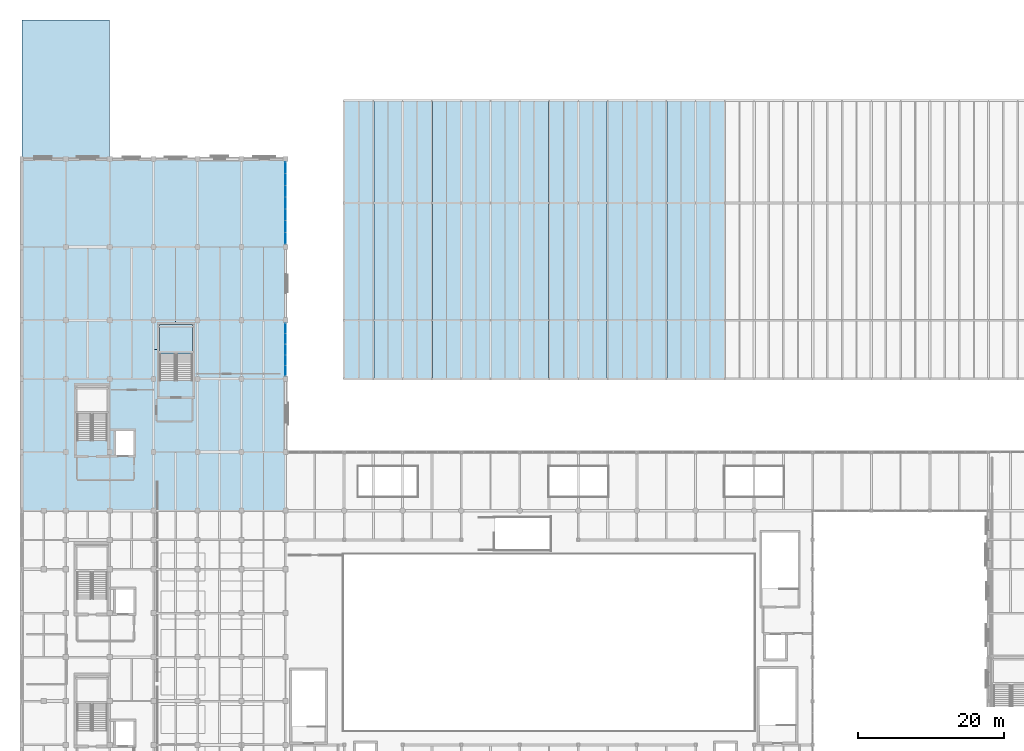
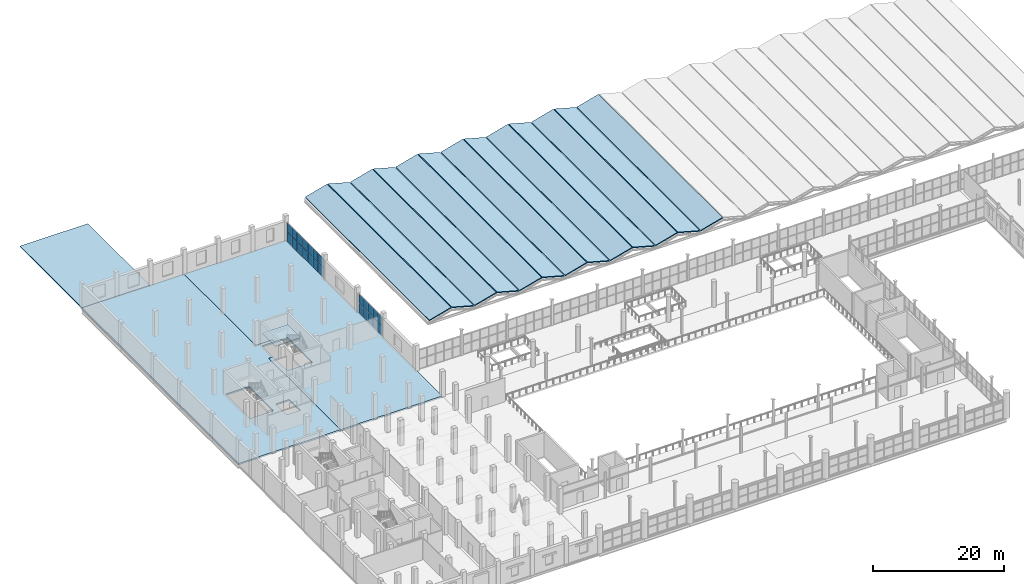
# One storey, part 87 of 114: 24 plates, 17 slabs, 3 elements without a shape of their own.
"""IFC4 building model written with IfcOpenShell, lengths in metres."""

from ifc_helpers import new_model, si_unit, direction, frame, origin, origin_2d, place, context, subcontext, project, spatial, polyline, rectangle, outline, extrude, material, layer, layer_set, type_object, element, aggregate, save


model = new_model("IFC4")

# Units and contexts
model_context = context("Model", 3, precision=1e-05, world=origin(), true_north=direction((0.0, 1.0)))
body_context = subcontext(model_context, "Body", "Model", "MODEL_VIEW")
ifc_project = project(units=[si_unit("LENGTHUNIT", "METRE"), si_unit("AREAUNIT", "SQUARE_METRE"), si_unit("VOLUMEUNIT", "CUBIC_METRE"), si_unit("PLANEANGLEUNIT", "RADIAN"), si_unit("MASSUNIT", "GRAM", prefix="KILO")], contexts=[model_context])

# Site, building, storey
site_placement = place(None, origin())
site = spatial("IfcSite", under=ifc_project, at=site_placement, CompositionType="ELEMENT")
building_placement = place(site_placement, origin())
building = spatial("IfcBuilding", under=site, at=building_placement, Name="Verrall Gate Interchange", CompositionType="ELEMENT")
storey_placement = place(building_placement, frame((0.0, 0.0, 6.60009765625)))
storey = spatial("IfcBuildingStorey", under=building, at=storey_placement, Name="L02", CompositionType="ELEMENT", Elevation=6.60009765625)

# Curtain wall, plates
ifc_material_1 = material(Name="Thermally Broken Anodized Aluminium Curtain Wall Framing", Category="aluminium")
curtain_wall_type_1 = type_object("IfcCurtainWallType", Name="CW-26 Unitized Curtain Wall 7186x3680", PredefinedType="NOTDEFINED", material=ifc_material_1)
curtain_wall_1_placement = place(storey_placement, origin())
curtain_wall_1 = element("IfcCurtainWall", 1, at=curtain_wall_1_placement, inside=storey, type_object=curtain_wall_type_1, Name="L02 Unitized Curtain Wall CW-L02-101", PredefinedType="NOTDEFINED")
ifc_material_2 = material(Name="Triple-Glazed Low-E Argon Insulated Curtain Panel (U=1.45)", Category="glass")
ifc_layer_1 = layer(ifc_material_2, 0.030029296875)
ifc_layer_set_1 = layer_set([ifc_layer_1], Name="Triple-Glazed Low-E Argon Insulated Curtain Panel (U=1.45)")
plate_type_1 = type_object("IfcPlateType", Name="CP-01 Curtain Glazing Panel 30", PredefinedType="CURTAIN_PANEL", material=ifc_layer_set_1)
plate_1_placement = place(storey_placement, frame((36.0, 67.12451171875, 0.062744140625), z_axis=(0.0, 0.0, 1.0), x_axis=(0.0, 1.0, 0.0)))
plate_1 = element("IfcPlate", 2, at=plate_1_placement, type_object=plate_type_1, Name="CW-L02-101 Glazing Panel 1.1", PredefinedType="CURTAIN_PANEL", context=body_context, shape_type="SweptSolid", body=[
    extrude(rectangle(XDim=1.358642578125, YDim=0.030029296875, at=origin_2d()), origin(), (0.0, 0.0, 1.0), 1.8251953125),
])
plate_2_placement = place(storey_placement, frame((36.0, 67.12451171875, 1.93896484375), z_axis=(0.0, 0.0, 1.0), x_axis=(0.0, 1.0, 0.0)))
plate_2 = element("IfcPlate", 3, at=plate_2_placement, type_object=plate_type_1, Name="CW-L02-101 Glazing Panel 1.2", PredefinedType="CURTAIN_PANEL", context=body_context, shape_type="SweptSolid", body=[
    extrude(rectangle(XDim=1.358642578125, YDim=0.030029296875, at=origin_2d()), origin(), (0.0, 0.0, 1.0), 1.677978515625),
])
plate_3_placement = place(storey_placement, frame((36.0, 68.552734375, 0.062744140625), z_axis=(0.0, 0.0, 1.0), x_axis=(0.0, 1.0, 0.0)))
plate_3 = element("IfcPlate", 4, at=plate_3_placement, type_object=plate_type_1, Name="CW-L02-101 Glazing Panel 2.1", PredefinedType="CURTAIN_PANEL", context=body_context, shape_type="SweptSolid", body=[
    extrude(rectangle(XDim=1.396240234375, YDim=0.030029296875, at=origin_2d()), origin(), (0.0, 0.0, 1.0), 1.8251953125),
])
plate_4_placement = place(storey_placement, frame((36.0, 68.552734375, 1.93896484375), z_axis=(0.0, 0.0, 1.0), x_axis=(0.0, 1.0, 0.0)))
plate_4 = element("IfcPlate", 5, at=plate_4_placement, type_object=plate_type_1, Name="CW-L02-101 Glazing Panel 2.2", PredefinedType="CURTAIN_PANEL", context=body_context, shape_type="SweptSolid", body=[
    extrude(rectangle(XDim=1.396240234375, YDim=0.030029296875, at=origin_2d()), origin(), (0.0, 0.0, 1.0), 1.677978515625),
])
plate_5_placement = place(storey_placement, frame((36.0, 70.0, 0.062744140625), z_axis=(0.0, 0.0, 1.0), x_axis=(0.0, 1.0, 0.0)))
plate_5 = element("IfcPlate", 6, at=plate_5_placement, type_object=plate_type_1, Name="CW-L02-101 Glazing Panel 3.1", PredefinedType="CURTAIN_PANEL", context=body_context, shape_type="SweptSolid", body=[
    extrude(rectangle(XDim=1.396240234375, YDim=0.030029296875, at=origin_2d()), origin(), (0.0, 0.0, 1.0), 1.8251953125),
])
plate_6_placement = place(storey_placement, frame((36.0, 70.0, 1.93896484375), z_axis=(0.0, 0.0, 1.0), x_axis=(0.0, 1.0, 0.0)))
plate_6 = element("IfcPlate", 7, at=plate_6_placement, type_object=plate_type_1, Name="CW-L02-101 Glazing Panel 3.2", PredefinedType="CURTAIN_PANEL", context=body_context, shape_type="SweptSolid", body=[
    extrude(rectangle(XDim=1.396240234375, YDim=0.030029296875, at=origin_2d()), origin(), (0.0, 0.0, 1.0), 1.677978515625),
])
plate_7_placement = place(storey_placement, frame((36.0, 71.447265625, 0.062744140625), z_axis=(0.0, 0.0, 1.0), x_axis=(0.0, 1.0, 0.0)))
plate_7 = element("IfcPlate", 8, at=plate_7_placement, type_object=plate_type_1, Name="CW-L02-101 Glazing Panel 4.1", PredefinedType="CURTAIN_PANEL", context=body_context, shape_type="SweptSolid", body=[
    extrude(rectangle(XDim=1.396240234375, YDim=0.030029296875, at=origin_2d()), origin(), (0.0, 0.0, 1.0), 1.8251953125),
])
plate_8_placement = place(storey_placement, frame((36.0, 71.447265625, 1.93896484375), z_axis=(0.0, 0.0, 1.0), x_axis=(0.0, 1.0, 0.0)))
plate_8 = element("IfcPlate", 9, at=plate_8_placement, type_object=plate_type_1, Name="CW-L02-101 Glazing Panel 4.2", PredefinedType="CURTAIN_PANEL", context=body_context, shape_type="SweptSolid", body=[
    extrude(rectangle(XDim=1.396240234375, YDim=0.030029296875, at=origin_2d()), origin(), (0.0, 0.0, 1.0), 1.677978515625),
])
plate_9_placement = place(storey_placement, frame((36.0, 72.875732421875, 0.062744140625), z_axis=(0.0, 0.0, 1.0), x_axis=(0.0, 1.0, 0.0)))
plate_9 = element("IfcPlate", 10, at=plate_9_placement, type_object=plate_type_1, Name="CW-L02-101 Glazing Panel 5.1", PredefinedType="CURTAIN_PANEL", context=body_context, shape_type="SweptSolid", body=[
    extrude(rectangle(XDim=1.358642578125, YDim=0.030029296875, at=origin_2d()), origin(), (0.0, 0.0, 1.0), 1.8251953125),
])
plate_10_placement = place(storey_placement, frame((36.0, 72.875732421875, 1.93896484375), z_axis=(0.0, 0.0, 1.0), x_axis=(0.0, 1.0, 0.0)))
plate_10 = element("IfcPlate", 11, at=plate_10_placement, type_object=plate_type_1, Name="CW-L02-101 Glazing Panel 5.2", PredefinedType="CURTAIN_PANEL", context=body_context, shape_type="SweptSolid", body=[
    extrude(rectangle(XDim=1.358642578125, YDim=0.030029296875, at=origin_2d()), origin(), (0.0, 0.0, 1.0), 1.677978515625),
])
aggregate(curtain_wall_1, [plate_1, plate_2, plate_3, plate_4, plate_5, plate_6, plate_7, plate_8, plate_9, plate_10])

ifc_material_3 = material(Name="Thermally Broken Anodized Aluminium Curtain Wall Framing", Category="aluminium")
curtain_wall_type_2 = type_object("IfcCurtainWallType", Name="CW-29 Unitized Curtain Wall 11236x3680", PredefinedType="NOTDEFINED", material=ifc_material_3)
curtain_wall_2_placement = place(storey_placement, origin())
curtain_wall_2 = element("IfcCurtainWall", 12, at=curtain_wall_2_placement, inside=storey, type_object=curtain_wall_type_2, Name="L02 Unitized Curtain Wall CW-L02-102", PredefinedType="NOTDEFINED")
ifc_material_4 = material(Name="Triple-Glazed Low-E Argon Insulated Curtain Panel (U=1.45)", Category="glass")
ifc_layer_2 = layer(ifc_material_4, 0.0400390625)
ifc_layer_set_2 = layer_set([ifc_layer_2], Name="Triple-Glazed Low-E Argon Insulated Curtain Panel (U=1.45)")
plate_type_2 = type_object("IfcPlateType", Name="CP-02 Curtain Glazing Panel 40", PredefinedType="CURTAIN_PANEL", material=ifc_layer_set_2)
plate_11_placement = place(storey_placement, frame((36.0, 85.20068359375, 0.054443359375), z_axis=(0.0, 0.0, 1.0), x_axis=(0.0, 1.0, 0.0)))
plate_11 = element("IfcPlate", 13, at=plate_11_placement, type_object=plate_type_2, Name="CW-L02-102 Glazing Panel 1.1", PredefinedType="CURTAIN_PANEL", context=body_context, shape_type="SweptSolid", body=[
    extrude(rectangle(XDim=1.5283203125, YDim=0.0400390625, at=origin_2d()), origin(), (0.0, 0.0, 1.0), 1.8369140625),
])
plate_12_placement = place(storey_placement, frame((36.0, 85.20068359375, 1.935546875), z_axis=(0.0, 0.0, 1.0), x_axis=(0.0, 1.0, 0.0)))
plate_12 = element("IfcPlate", 14, at=plate_12_placement, type_object=plate_type_2, Name="CW-L02-102 Glazing Panel 1.2", PredefinedType="CURTAIN_PANEL", context=body_context, shape_type="SweptSolid", body=[
    extrude(rectangle(XDim=1.5283203125, YDim=0.0400390625, at=origin_2d()), origin(), (0.0, 0.0, 1.0), 1.689697265625),
])
plate_13_placement = place(storey_placement, frame((36.0, 86.789794921875, 0.054443359375), z_axis=(0.0, 0.0, 1.0), x_axis=(0.0, 1.0, 0.0)))
plate_13 = element("IfcPlate", 15, at=plate_13_placement, type_object=plate_type_2, Name="CW-L02-102 Glazing Panel 2.1", PredefinedType="CURTAIN_PANEL", context=body_context, shape_type="SweptSolid", body=[
    extrude(rectangle(XDim=1.56103515625, YDim=0.0400390625, at=origin_2d()), origin(), (0.0, 0.0, 1.0), 1.8369140625),
])
plate_14_placement = place(storey_placement, frame((36.0, 86.789794921875, 1.935546875), z_axis=(0.0, 0.0, 1.0), x_axis=(0.0, 1.0, 0.0)))
plate_14 = element("IfcPlate", 16, at=plate_14_placement, type_object=plate_type_2, Name="CW-L02-102 Glazing Panel 2.2", PredefinedType="CURTAIN_PANEL", context=body_context, shape_type="SweptSolid", body=[
    extrude(rectangle(XDim=1.56103515625, YDim=0.0400390625, at=origin_2d()), origin(), (0.0, 0.0, 1.0), 1.689697265625),
])
plate_15_placement = place(storey_placement, frame((36.0, 88.39501953125, 0.054443359375), z_axis=(0.0, 0.0, 1.0), x_axis=(0.0, 1.0, 0.0)))
plate_15 = element("IfcPlate", 17, at=plate_15_placement, type_object=plate_type_2, Name="CW-L02-102 Glazing Panel 3.1", PredefinedType="CURTAIN_PANEL", context=body_context, shape_type="SweptSolid", body=[
    extrude(rectangle(XDim=1.560791015625, YDim=0.0400390625, at=origin_2d()), origin(), (0.0, 0.0, 1.0), 1.8369140625),
])
plate_16_placement = place(storey_placement, frame((36.0, 88.39501953125, 1.935546875), z_axis=(0.0, 0.0, 1.0), x_axis=(0.0, 1.0, 0.0)))
plate_16 = element("IfcPlate", 18, at=plate_16_placement, type_object=plate_type_2, Name="CW-L02-102 Glazing Panel 3.2", PredefinedType="CURTAIN_PANEL", context=body_context, shape_type="SweptSolid", body=[
    extrude(rectangle(XDim=1.560791015625, YDim=0.0400390625, at=origin_2d()), origin(), (0.0, 0.0, 1.0), 1.689697265625),
])
plate_17_placement = place(storey_placement, frame((36.0, 90.0, 0.054443359375), z_axis=(0.0, 0.0, 1.0), x_axis=(0.0, 1.0, 0.0)))
plate_17 = element("IfcPlate", 19, at=plate_17_placement, type_object=plate_type_2, Name="CW-L02-102 Glazing Panel 4.1", PredefinedType="CURTAIN_PANEL", context=body_context, shape_type="SweptSolid", body=[
    extrude(rectangle(XDim=1.56103515625, YDim=0.0400390625, at=origin_2d()), origin(), (0.0, 0.0, 1.0), 1.8369140625),
])
plate_18_placement = place(storey_placement, frame((36.0, 90.0, 1.935546875), z_axis=(0.0, 0.0, 1.0), x_axis=(0.0, 1.0, 0.0)))
plate_18 = element("IfcPlate", 20, at=plate_18_placement, type_object=plate_type_2, Name="CW-L02-102 Glazing Panel 4.2", PredefinedType="CURTAIN_PANEL", context=body_context, shape_type="SweptSolid", body=[
    extrude(rectangle(XDim=1.56103515625, YDim=0.0400390625, at=origin_2d()), origin(), (0.0, 0.0, 1.0), 1.689697265625),
])
plate_19_placement = place(storey_placement, frame((36.0, 91.605224609375, 0.054443359375), z_axis=(0.0, 0.0, 1.0), x_axis=(0.0, 1.0, 0.0)))
plate_19 = element("IfcPlate", 21, at=plate_19_placement, type_object=plate_type_2, Name="CW-L02-102 Glazing Panel 5.1", PredefinedType="CURTAIN_PANEL", context=body_context, shape_type="SweptSolid", body=[
    extrude(rectangle(XDim=1.560791015625, YDim=0.0400390625, at=origin_2d()), origin(), (0.0, 0.0, 1.0), 1.8369140625),
])
plate_20_placement = place(storey_placement, frame((36.0, 91.605224609375, 1.935546875), z_axis=(0.0, 0.0, 1.0), x_axis=(0.0, 1.0, 0.0)))
plate_20 = element("IfcPlate", 22, at=plate_20_placement, type_object=plate_type_2, Name="CW-L02-102 Glazing Panel 5.2", PredefinedType="CURTAIN_PANEL", context=body_context, shape_type="SweptSolid", body=[
    extrude(rectangle(XDim=1.560791015625, YDim=0.0400390625, at=origin_2d()), origin(), (0.0, 0.0, 1.0), 1.689697265625),
])
plate_21_placement = place(storey_placement, frame((36.0, 93.210205078125, 0.054443359375), z_axis=(0.0, 0.0, 1.0), x_axis=(0.0, 1.0, 0.0)))
plate_21 = element("IfcPlate", 23, at=plate_21_placement, type_object=plate_type_2, Name="CW-L02-102 Glazing Panel 6.1", PredefinedType="CURTAIN_PANEL", context=body_context, shape_type="SweptSolid", body=[
    extrude(rectangle(XDim=1.56103515625, YDim=0.0400390625, at=origin_2d()), origin(), (0.0, 0.0, 1.0), 1.8369140625),
])
plate_22_placement = place(storey_placement, frame((36.0, 93.210205078125, 1.935546875), z_axis=(0.0, 0.0, 1.0), x_axis=(0.0, 1.0, 0.0)))
plate_22 = element("IfcPlate", 24, at=plate_22_placement, type_object=plate_type_2, Name="CW-L02-102 Glazing Panel 6.2", PredefinedType="CURTAIN_PANEL", context=body_context, shape_type="SweptSolid", body=[
    extrude(rectangle(XDim=1.56103515625, YDim=0.0400390625, at=origin_2d()), origin(), (0.0, 0.0, 1.0), 1.689697265625),
])
plate_23_placement = place(storey_placement, frame((36.0, 94.79931640625, 0.054443359375), z_axis=(0.0, 0.0, 1.0), x_axis=(0.0, 1.0, 0.0)))
plate_23 = element("IfcPlate", 25, at=plate_23_placement, type_object=plate_type_2, Name="CW-L02-102 Glazing Panel 7.1", PredefinedType="CURTAIN_PANEL", context=body_context, shape_type="SweptSolid", body=[
    extrude(rectangle(XDim=1.5283203125, YDim=0.0400390625, at=origin_2d()), origin(), (0.0, 0.0, 1.0), 1.8369140625),
])
plate_24_placement = place(storey_placement, frame((36.0, 94.79931640625, 1.935546875), z_axis=(0.0, 0.0, 1.0), x_axis=(0.0, 1.0, 0.0)))
plate_24 = element("IfcPlate", 26, at=plate_24_placement, type_object=plate_type_2, Name="CW-L02-102 Glazing Panel 7.2", PredefinedType="CURTAIN_PANEL", context=body_context, shape_type="SweptSolid", body=[
    extrude(rectangle(XDim=1.5283203125, YDim=0.0400390625, at=origin_2d()), origin(), (0.0, 0.0, 1.0), 1.689697265625),
])
aggregate(curtain_wall_2, [plate_11, plate_12, plate_13, plate_14, plate_15, plate_16, plate_17, plate_18, plate_19, plate_20, plate_21, plate_22, plate_23, plate_24])

# Slabs
ifc_material_5 = material(Name="Concrete CSA A23.1 40 MPa (Class N)", Category="concrete")
ifc_layer_3 = layer(ifc_material_5, 0.280029296875)
ifc_layer_set_3 = layer_set([ifc_layer_3], Name="Concrete CSA A23.1 40 MPa (Class N)")
slab_type_1 = type_object("IfcSlabType", Name="FS-08 Floor Slab 280", PredefinedType="FLOOR", material=ifc_layer_set_3)
slab_1_placement = place(storey_placement, frame((0.0, 0.0, -0.280029296875)))
element("IfcSlab", 27, at=slab_1_placement, inside=storey, type_object=slab_type_1, Name="L02 Structural Slab SLB-L02-03", PredefinedType="FLOOR", context=body_context, shape_type="SweptSolid", body=[
    extrude(outline(polyline([(0.0, 96.0), (18.0, 96.0), (18.0, 74.0), (21.0, 74.0), (21.0, 73.39990234375), (18.800048828125, 73.39990234375), (18.800048828125, 70.0), (18.0, 70.0), (18.0, 48.0), (0.0, 48.0), (0.0, 96.0)]), holes=[polyline([(12.85009765625, 58.89990234375), (12.85009765625, 55.60009765625), (15.25, 55.60009765625), (15.25, 58.89990234375), (12.85009765625, 58.89990234375)]), polyline([(11.64990234375, 65.0), (7.550048828125, 65.0), (7.550048828125, 57.550048828125), (11.64990234375, 57.550048828125), (11.64990234375, 65.0)])]), origin(), (0.0, 0.0, 1.0), 0.280029296875),
])
slab_2_placement = place(storey_placement, frame((0.0, 0.0, -0.280029296875)))
element("IfcSlab", 28, at=slab_2_placement, inside=storey, type_object=slab_type_1, Name="L02 Structural Slab SLB-L02-04", PredefinedType="FLOOR", context=body_context, shape_type="SweptSolid", body=[
    extrude(outline(polyline([(36.0, 48.0), (18.0, 48.0), (18.0, 70.0), (18.800048828125, 70.0), (18.800048828125, 65.75), (23.300048828125, 65.75), (23.300048828125, 73.39990234375), (21.0, 73.39990234375), (21.0, 74.0), (18.0, 74.0), (18.0, 96.0), (36.0, 96.0), (36.0, 48.0)])), origin(), (0.0, 0.0, 1.0), 0.280029296875),
])

# Stair, slab
ifc_material_6 = material(Name="Concrete CSA A23.1 40 MPa (Class N)", Category="concrete")
stair_type = type_object("IfcStairType", Name="ST-T08 Straight-Flight Return Exit Stair W2150 H4800", PredefinedType="STRAIGHT_RUN_STAIR", material=ifc_material_6)
stair_placement = place(storey_placement, origin())
stair = element("IfcStair", 29, at=stair_placement, inside=storey, type_object=stair_type, Name="L02 ST-04", PredefinedType="STRAIGHT_RUN_STAIR")
ifc_material_7 = material(Name="Concrete CSA A23.1 40 MPa (Class N)", Category="concrete")
ifc_layer_4 = layer(ifc_material_7, 0.18994140625)
ifc_layer_set_4 = layer_set([ifc_layer_4], Name="Concrete CSA A23.1 40 MPa (Class N)")
slab_type_2 = type_object("IfcSlabType", Name="LS-01 Stair Landing Slab 190", PredefinedType="LANDING", material=ifc_layer_set_4)
slab_3_placement = place(storey_placement, frame((0.0, 0.0, 2.199951171875)))
slab_3 = element("IfcSlab", 30, at=slab_3_placement, type_object=slab_type_2, Name="ST-04 landing 1", PredefinedType="LANDING", context=body_context, shape_type="SweptSolid", body=[
    extrude(outline(polyline([(23.300048828125, 69.389892578125), (23.300048828125, 73.39990234375), (18.800048828125, 73.39990234375), (18.800048828125, 69.389892578125), (23.300048828125, 69.389892578125)])), origin(), (0.0, 0.0, 1.0), 0.199951171875),
])
aggregate(stair, [slab_3])

# Slabs
ifc_material_8 = material(Name="Concrete CSA A23.1 40 MPa (Class C-1)", Category="concrete")
ifc_layer_5 = layer(ifc_material_8, 0.179931640625)
ifc_layer_set_5 = layer_set([ifc_layer_5], Name="Concrete CSA A23.1 40 MPa (Class C-1)")
slab_type_3 = type_object("IfcSlabType", Name="RS-02 Roof Slab 180", PredefinedType="ROOF", material=ifc_layer_set_5)
for number, where, z_axis, x_axis, name in (
    (31, (44.070068359375, 66.0, 0.419189453125), (-0.265170657731, 0.0, 0.964201494647), (0.964201494647, 0.0, 0.265170657731), "Bus Concourse Folded-Plate Roof Facet RF-BP-01"),
    (32, (48.070068359375, 66.0, 1.480712890625), (0.265170657731, 0.0, 0.964201494647), (0.964201494647, 0.0, -0.265170657731), "Bus Concourse Folded-Plate Roof Facet RF-BP-02"),
    (33, (52.070068359375, 66.0, 0.419189453125), (-0.265170657731, 0.0, 0.964201494647), (0.964201494647, 0.0, 0.265170657731), "Bus Concourse Folded-Plate Roof Facet RF-BP-03"),
    (34, (56.070068359375, 66.0, 1.480712890625), (0.265170657731, 0.0, 0.964201494647), (0.964201494647, 0.0, -0.265170657731), "Bus Concourse Folded-Plate Roof Facet RF-BP-04"),
    (35, (60.070068359375, 66.0, 0.419189453125), (-0.265170657731, 0.0, 0.964201494647), (0.964201494647, 0.0, 0.265170657731), "Bus Concourse Folded-Plate Roof Facet RF-BP-05"),
    (36, (64.070068359375, 66.0, 1.480712890625), (0.265170657731, 0.0, 0.964201494647), (0.964201494647, 0.0, -0.265170657731), "Bus Concourse Folded-Plate Roof Facet RF-BP-06"),
    (37, (68.070068359375, 66.0, 0.419189453125), (-0.265170657731, 0.0, 0.964201494647), (0.964201494647, 0.0, 0.265170657731), "Bus Concourse Folded-Plate Roof Facet RF-BP-07"),
    (38, (72.070068359375, 66.0, 1.480712890625), (0.265170657731, 0.0, 0.964201494647), (0.964201494647, 0.0, -0.265170657731), "Bus Concourse Folded-Plate Roof Facet RF-BP-08"),
    (39, (76.070068359375, 66.0, 0.419189453125), (-0.265170657731, 0.0, 0.964201494647), (0.964201494647, 0.0, 0.265170657731), "Bus Concourse Folded-Plate Roof Facet RF-BP-09"),
    (40, (80.070068359375, 66.0, 1.480712890625), (0.265170657731, 0.0, 0.964201494647), (0.964201494647, 0.0, -0.265170657731), "Bus Concourse Folded-Plate Roof Facet RF-BP-10"),
    (41, (84.070068359375, 66.0, 0.419189453125), (-0.265170657731, 0.0, 0.964201494647), (0.964201494647, 0.0, 0.265170657731), "Bus Concourse Folded-Plate Roof Facet RF-BP-11"),
    (42, (88.070068359375, 66.0, 1.480712890625), (0.265170657731, 0.0, 0.964201494647), (0.964201494647, 0.0, -0.265170657731), "Bus Concourse Folded-Plate Roof Facet RF-BP-12"),
    (43, (92.070068359375, 66.0, 0.419189453125), (-0.265170657731, 0.0, 0.964201494647), (0.964201494647, 0.0, 0.265170657731), "Bus Concourse Folded-Plate Roof Facet RF-BP-13"),
):
    element("IfcSlab", number, at=place(storey_placement, frame(where, z_axis=z_axis, x_axis=x_axis)), inside=storey, type_object=slab_type_3, Name=name, PredefinedType="ROOF", context=body_context, shape_type="SweptSolid", body=[
        extrude(outline(polyline([(0.0, 0.0), (4.003170813031069, 0.0), (4.003170813031069, 38.0), (0.0, 38.0), (0.0, 0.0)])), origin(), (0.0, 0.0, -1.0), 0.179931640625),
    ])
ifc_material_9 = material(Name="Concrete CSA A23.1 40 MPa (Class C-1)", Category="concrete")
ifc_layer_6 = layer(ifc_material_9, 0.159912109375)
ifc_layer_set_6 = layer_set([ifc_layer_6], Name="Concrete CSA A23.1 40 MPa (Class C-1)")
slab_type_4 = type_object("IfcSlabType", Name="RS-03 Roof Slab 160", PredefinedType="ROOF", material=ifc_layer_set_6)
slab_4_placement = place(storey_placement, frame((0.0, 0.0, -0.16015625)))
element("IfcSlab", 44, at=slab_4_placement, inside=storey, type_object=slab_type_4, Name="L02 Structural Slab SLB-L02-ND1", PredefinedType="ROOF", context=body_context, shape_type="SweptSolid", body=[
    extrude(outline(polyline([(0.0, 115.0), (12.0, 115.0), (12.0, 96.0), (0.0, 96.0), (0.0, 115.0)])), origin(), (0.0, 0.0, 1.0), 0.16015625),
])

save(model, "model.ifc")
